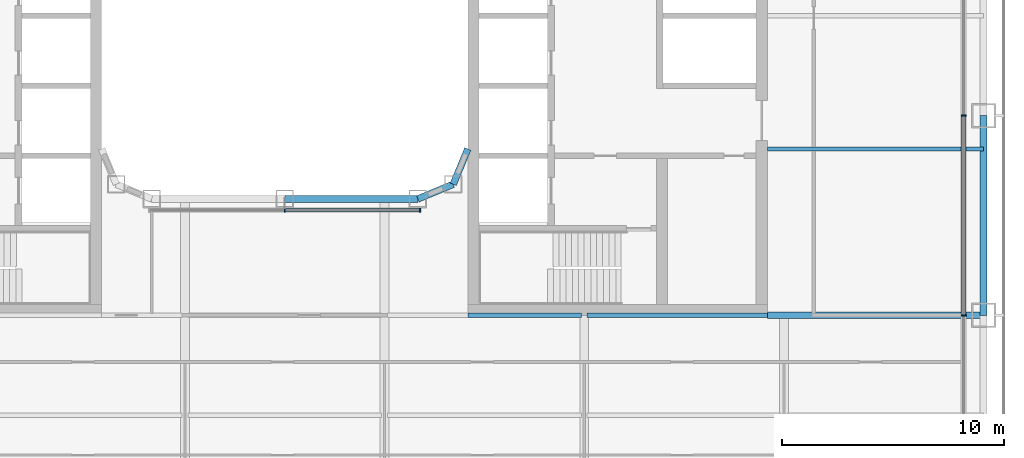
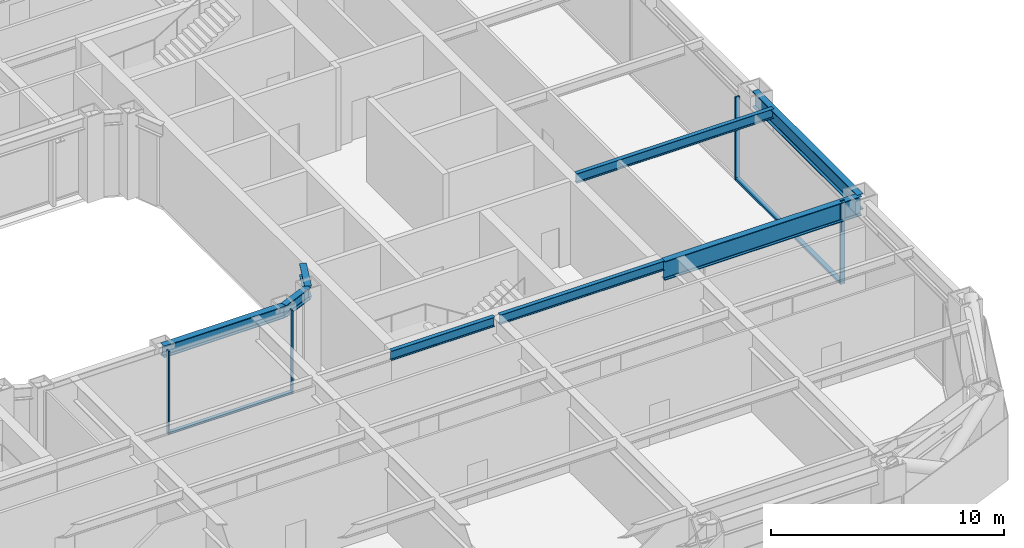
# One storey, part 5 of 24: 8 beams, 6 members, 2 elements without a shape of their own.
"""IFC4 building model written with IfcOpenShell, lengths in metres."""

import ifcopenshell
import ifcopenshell.guid

model = None  # the IFC model being written
_history = None  # IfcOwnerHistory: only IFC2X3 demands one
_inside = {}  # id of a spatial element -> (the spatial element, [elements in it])
_under = {}  # id of a project, library or spatial element -> (it, [spatial elements below it])
_declared = {}  # id of a project -> (the project, [libraries it declares])
_typed = {}  # id of a type object -> (the type object, [elements of that type])
_made_of = {}  # id of a material, layer set ... -> (it, [elements and type objects made of it])


def new_model(schema):
    """Start an empty IFC model of exactly this schema.

    Asked for "IFC4X3", IfcOpenShell would pick the latest addendum, in which some entities
    have other attributes; the version numbers below select the first issue.
    IFC2X3 requires an IfcOwnerHistory on every rooted entity: one is made here for all.
    """
    global model, _history
    if schema == "IFC4X3":
        model = ifcopenshell.file(schema_version=(4, 3, 0, 0))
    else:
        model = ifcopenshell.file(schema=schema)
    _inside.clear()
    _under.clear()
    _declared.clear()
    _typed.clear()
    _made_of.clear()
    _history = None
    if model.schema == "IFC2X3":
        org = make("IfcOrganization", Name="unknown")
        user = make(
            "IfcPersonAndOrganization",
            ThePerson=make("IfcPerson", FamilyName="unknown"),
            TheOrganization=org,
        )
        app = make(
            "IfcApplication",
            ApplicationDeveloper=org,
            Version="unknown",
            ApplicationFullName="unknown",
            ApplicationIdentifier="unknown",
        )
        _history = make(
            "IfcOwnerHistory",
            OwningUser=user,
            OwningApplication=app,
            ChangeAction="ADDED",
            CreationDate=0,
        )
    return model


def make(cls, **values):
    """One entity of the class cls with the attributes given. An attribute that is None is left unset."""
    return model.create_entity(
        cls, **{name: value for name, value in values.items() if value is not None}
    )


def rooted(cls, **values):
    """An entity with a GlobalId (a new one), such as an element, a storey or a relation."""
    return make(cls, GlobalId=ifcopenshell.guid.new(), OwnerHistory=_history, **values)


def si_unit(unit_type, name, prefix=None):
    """IfcSIUnit, for example si_unit("LENGTHUNIT", "METRE", prefix="MILLI")."""
    return make("IfcSIUnit", UnitType=unit_type, Prefix=prefix, Name=name)


def assignment(units):
    """IfcUnitAssignment: the units of a project."""
    return None if units is None else make("IfcUnitAssignment", Units=units)


def point(xyz):
    """IfcCartesianPoint."""
    return None if xyz is None else make("IfcCartesianPoint", Coordinates=xyz)


def direction(xyz):
    """IfcDirection."""
    return None if xyz is None else make("IfcDirection", DirectionRatios=xyz)


def frame(location, z_axis=None, x_axis=None):
    """IfcAxis2Placement3D, a coordinate frame: its origin and axes. An axis left out is left unset."""
    return make(
        "IfcAxis2Placement3D",
        Location=point(location),
        Axis=direction(z_axis),
        RefDirection=direction(x_axis),
    )


def frame_2d(location, x_axis=None):
    """IfcAxis2Placement2D, a coordinate frame in the plane: its origin and x axis."""
    return make(
        "IfcAxis2Placement2D", Location=point(location), RefDirection=direction(x_axis)
    )


def origin():
    """The frame at (0, 0, 0) with its axes left unset."""
    return frame((0.0, 0.0, 0.0))


def origin_2d():
    """The frame at (0, 0) in the plane with its x axis left unset."""
    return frame_2d((0.0, 0.0))


def place(relative_to, where):
    """IfcLocalPlacement: puts the frame where relative to a parent placement (None: the world)."""
    return make(
        "IfcLocalPlacement", PlacementRelTo=relative_to, RelativePlacement=where
    )


def context(
    kind, dimensions, precision=None, world=None, true_north=None, identifier=None
):
    """IfcGeometricRepresentationContext, for example the 3D "Model" context."""
    return make(
        "IfcGeometricRepresentationContext",
        ContextIdentifier=identifier,
        ContextType=kind,
        CoordinateSpaceDimension=dimensions,
        Precision=precision,
        WorldCoordinateSystem=world,
        TrueNorth=true_north,
    )


def subcontext(parent, identifier, kind, view, scale=None):
    """IfcGeometricRepresentationSubContext, for example "Body" below "Model"."""
    return make(
        "IfcGeometricRepresentationSubContext",
        ContextIdentifier=identifier,
        ContextType=kind,
        ParentContext=parent,
        TargetScale=scale,
        TargetView=view,
    )


def project(units=None, contexts=None):
    """IfcProject with its units and contexts."""
    return rooted(
        "IfcProject",
        Name="project",
        RepresentationContexts=contexts,
        UnitsInContext=assignment(units),
    )


def spatial(cls, under=None, at=None, **own):
    """A site, building, storey or space (cls), placed at a placement, below another one or the project."""
    s = rooted(cls, ObjectPlacement=at, **own)
    if under is not None:
        _under.setdefault(under.id(), (under, []))[1].append(s)
    return s


def profile(cls, at=None, kind="AREA", **sizes):
    """A parametric profile (cls). Its sizes go by their IFC names, for example OverallWidth=200.0."""
    return make(cls, ProfileType=kind, Position=at, **sizes)


def rectangle(**sizes):
    """IfcRectangleProfileDef."""
    return profile("IfcRectangleProfileDef", **sizes)


def i_section(**sizes):
    """IfcIShapeProfileDef."""
    return profile("IfcIShapeProfileDef", **sizes)


def extrude(swept, where, along, depth):
    """IfcExtrudedAreaSolid: the profile swept, set in the frame where, extruded along a direction by depth."""
    return make(
        "IfcExtrudedAreaSolid",
        SweptArea=swept,
        Position=where,
        ExtrudedDirection=direction(along),
        Depth=depth,
    )


def shape(context_of_items, identifier, shape_type, items):
    """IfcShapeRepresentation: the items that make up one representation, for example the "Body"."""
    return make(
        "IfcShapeRepresentation",
        ContextOfItems=context_of_items,
        RepresentationIdentifier=identifier,
        RepresentationType=shape_type,
        Items=items,
    )


def material(Name=None, Category=None):
    """IfcMaterial."""
    return make("IfcMaterial", Name=Name, Category=Category)


def layer(
    of_material, thickness, ventilated=None, Name=None, Category=None, Priority=None
):
    """IfcMaterialLayer: one layer of a wall or slab, of a material (None: an air gap)."""
    return make(
        "IfcMaterialLayer",
        Material=of_material,
        LayerThickness=thickness,
        IsVentilated=ventilated,
        Name=Name,
        Category=Category,
        Priority=Priority,
    )


def layer_set(layers, Name=None):
    """IfcMaterialLayerSet."""
    return make("IfcMaterialLayerSet", MaterialLayers=layers, LayerSetName=Name)


def material_profile(
    of_material, cross_section, Name=None, Category=None, Priority=None
):
    """IfcMaterialProfile: a cross section and its material."""
    return make(
        "IfcMaterialProfile",
        Name=Name,
        Material=of_material,
        Profile=cross_section,
        Priority=Priority,
        Category=Category,
    )


def profile_set(profiles, Name=None, composite=None):
    """IfcMaterialProfileSet."""
    return make(
        "IfcMaterialProfileSet",
        Name=Name,
        MaterialProfiles=profiles,
        CompositeProfile=composite,
    )


def made_of(thing, what):
    """Note that an element or type object is made of a material, layer set ...; save() writes the relation."""
    if what is not None:
        _made_of.setdefault(what.id(), (what, []))[1].append(thing)
    return thing


def type_object(cls, material=None, **own):
    """A type object (cls), such as IfcWallType, which elements share."""
    return made_of(rooted(cls, **own), material)


def element(
    cls,
    number,
    at=None,
    inside=None,
    cuts=None,
    type_object=None,
    material=None,
    context=None,
    identifier="Body",
    shape_type=None,
    held_by="IfcProductDefinitionShape",
    body=None,
    shapes=None,
    **own,
):
    """One element of the class cls, such as IfcWall. Its Tag is "e" and its number.

    at: its placement. inside: the storey or other place that contains it. cuts: it is an
    opening in that element (IfcRelVoidsElement). A single representation is given by context,
    identifier, shape_type and body (its items); several are given by shapes. held_by: the class
    of the entity that holds the representations. save() writes the other relations.
    """
    e = rooted(cls, Tag="e%d" % number, ObjectPlacement=at, **own)
    if body is not None:
        shapes = [shape(context, identifier, shape_type, body)]
    if shapes is not None:
        e.Representation = make(held_by, Representations=shapes)
    if inside is not None:
        _inside.setdefault(inside.id(), (inside, []))[1].append(e)
    if cuts is not None:
        rooted(
            "IfcRelVoidsElement", RelatingBuildingElement=cuts, RelatedOpeningElement=e
        )
    if type_object is not None:
        _typed.setdefault(type_object.id(), (type_object, []))[1].append(e)
    return made_of(e, material)


def aggregate(whole, parts):
    """IfcRelAggregates: a whole, such as a stair, and the parts it consists of."""
    return rooted("IfcRelAggregates", RelatingObject=whole, RelatedObjects=parts)


def save(model, path):
    """Write the relations noted so far, then the file.

    IfcRelAggregates (storeys below a building ...), IfcRelContainedInSpatialStructure (elements
    in a storey), IfcRelDefinesByType, IfcRelAssociatesMaterial and IfcRelDeclares: one each for
    every whole, place, type object, material and project.
    """
    for whole, parts in _under.values():
        aggregate(whole, parts)
    for where, things in _inside.values():
        rooted(
            "IfcRelContainedInSpatialStructure",
            RelatedElements=things,
            RelatingStructure=where,
        )
    for kind, things in _typed.values():
        rooted("IfcRelDefinesByType", RelatedObjects=things, RelatingType=kind)
    for what, things in _made_of.values():
        rooted("IfcRelAssociatesMaterial", RelatedObjects=things, RelatingMaterial=what)
    for by, libraries in _declared.values():
        rooted("IfcRelDeclares", RelatingContext=by, RelatedDefinitions=libraries)
    model.write(path)


model = new_model("IFC4")

# Units and contexts
model_context = context("Model", 3, precision=1e-05, world=origin(), true_north=direction((0.0, 1.0)))
body_context = subcontext(model_context, "Body", "Model", "MODEL_VIEW")
ifc_project = project(units=[si_unit("LENGTHUNIT", "METRE"), si_unit("AREAUNIT", "SQUARE_METRE"), si_unit("VOLUMEUNIT", "CUBIC_METRE"), si_unit("PLANEANGLEUNIT", "RADIAN"), si_unit("MASSUNIT", "GRAM", prefix="KILO")], contexts=[model_context])

# Site, building, storey
site_placement = place(None, origin())
site = spatial("IfcSite", under=ifc_project, at=site_placement, CompositionType="ELEMENT")
building_placement = place(site_placement, origin())
building = spatial("IfcBuilding", under=site, at=building_placement, Name="Siwar Civic Tower", CompositionType="ELEMENT")
storey_placement = place(building_placement, frame((0.0, 0.0, 22.199951171875)))
storey = spatial("IfcBuildingStorey", under=building, at=storey_placement, Name="L04", CompositionType="ELEMENT", Elevation=22.199951171875)

# Curtain wall, members
ifc_material_1 = material(Name="Aluminium and glass", Category="aluminium")
ifc_layer_1 = layer(ifc_material_1, 0.219970703125)
ifc_layer_set_1 = layer_set([ifc_layer_1], Name="Aluminium and glass")
curtain_wall_type_1 = type_object("IfcCurtainWallType", Name="ENV-CW-A", PredefinedType="NOTDEFINED", material=ifc_layer_set_1)
curtain_wall_1_placement = place(storey_placement, origin())
curtain_wall_1 = element("IfcCurtainWall", 1, at=curtain_wall_1_placement, inside=storey, type_object=curtain_wall_type_1, Name="Curtain wall A E", PredefinedType="NOTDEFINED")
ifc_material_2 = material(Name="Aluminium 6063-T6", Category="aluminium")
ifc_material_profile_1 = material_profile(ifc_material_2, rectangle(XDim=0.219970703125, YDim=0.070068359375, at=origin_2d()), Name="AL 220x70")
ifc_profile_set_1 = profile_set([ifc_material_profile_1], Name="Aluminium 6063-T6")
member_type_1 = type_object("IfcMemberType", Name="ENV-MULLION-A", PredefinedType="MULLION", material=ifc_profile_set_1)
member_1_placement = place(storey_placement, frame((30.60009765625, -13.5, 0.0), z_axis=(0.0, 0.0, 1.0), x_axis=(-1.0, 0.0, 0.0)))
member_1 = element("IfcMember", 2, at=member_1_placement, type_object=member_type_1, Name="Mullion A E 2", PredefinedType="MULLION", context=body_context, shape_type="SweptSolid", body=[
    extrude(rectangle(XDim=0.219970703125, YDim=0.070068359375, at=origin_2d()), origin(), (0.0, 0.0, 1.0), 4.35009765625),
])
member_2_placement = place(storey_placement, frame((30.60009765625, -4.5, 0.0), z_axis=(0.0, 0.0, 1.0), x_axis=(-1.0, 0.0, 0.0)))
member_2 = element("IfcMember", 3, at=member_2_placement, type_object=member_type_1, Name="Mullion A E 3", PredefinedType="MULLION", context=body_context, shape_type="SweptSolid", body=[
    extrude(rectangle(XDim=0.219970703125, YDim=0.070068359375, at=origin_2d()), origin(), (0.0, 0.0, 1.0), 4.35009765625),
])

ifc_material_3 = material(Name="Aluminium and glass", Category="aluminium")
ifc_layer_2 = layer(ifc_material_3, 0.179931640625)
ifc_layer_set_2 = layer_set([ifc_layer_2], Name="Aluminium and glass")
curtain_wall_type_2 = type_object("IfcCurtainWallType", Name="ENV-CW-W", PredefinedType="NOTDEFINED", material=ifc_layer_set_2)
curtain_wall_2_placement = place(storey_placement, origin())
curtain_wall_2 = element("IfcCurtainWall", 4, at=curtain_wall_2_placement, inside=storey, type_object=curtain_wall_type_2, Name="Curtain wall W WS", PredefinedType="NOTDEFINED")
ifc_material_4 = material(Name="Aluminium 6063-T6", Category="aluminium")
ifc_material_profile_2 = material_profile(ifc_material_4, rectangle(XDim=0.179931640625, YDim=0.06005859375, at=origin_2d()), Name="AL 180x60")
ifc_profile_set_2 = profile_set([ifc_material_profile_2], Name="Aluminium 6063-T6")
member_type_2 = type_object("IfcMemberType", Name="ENV-MULLION-W", PredefinedType="MULLION", material=ifc_profile_set_2)
member_3_placement = place(storey_placement, frame((0.0, -8.760009765625, 0.0), z_axis=(0.0, 0.0, 1.0), x_axis=(0.0, 1.0, 0.0)))
member_3 = element("IfcMember", 5, at=member_3_placement, type_object=member_type_2, Name="Mullion W WS 2", PredefinedType="MULLION", context=body_context, shape_type="SweptSolid", body=[
    extrude(rectangle(XDim=0.179931640625, YDim=0.06005859375, at=origin_2d()), origin(), (0.0, 0.0, 1.0), 4.35009765625),
])
member_4_placement = place(storey_placement, frame((6.1015625, -8.760009765625, 0.0), z_axis=(0.0, 0.0, 1.0), x_axis=(0.0, 1.0, 0.0)))
member_4 = element("IfcMember", 6, at=member_4_placement, type_object=member_type_2, Name="Mullion W WS 3", PredefinedType="MULLION", context=body_context, shape_type="SweptSolid", body=[
    extrude(rectangle(XDim=0.179931640625, YDim=0.06005859375, at=origin_2d()), origin(), (0.0, 0.0, 1.0), 4.35009765625),
])

# Member
ifc_material_5 = material(Name="Aluminium 6063-T6", Category="aluminium")
ifc_material_profile_3 = material_profile(ifc_material_5, rectangle(XDim=0.219970703125, YDim=0.1201171875, at=origin_2d()), Name="AL 220x120")
ifc_profile_set_3 = profile_set([ifc_material_profile_3], Name="Aluminium 6063-T6")
member_type_3 = type_object("IfcMemberType", Name="ENV-TRANSOM-A", PredefinedType="USERDEFINED", material=ifc_profile_set_3)
member_5_placement = place(storey_placement, frame((30.60009765625, -13.465087890625, 0.06005859375), z_axis=(0.0, 1.0, 0.0), x_axis=(-1.0, 0.0, 0.0)))
member_5 = element("IfcMember", 7, at=member_5_placement, type_object=member_type_3, Name="Transom A E 2", ObjectType="TRANSOM", PredefinedType="USERDEFINED", context=body_context, shape_type="SweptSolid", body=[
    extrude(rectangle(XDim=0.219970703125, YDim=0.1201171875, at=origin_2d()), origin(), (0.0, 0.0, 1.0), 8.93017578125),
])

aggregate(curtain_wall_1, [member_1, member_2, member_5])

ifc_material_6 = material(Name="Aluminium 6063-T6", Category="aluminium")
ifc_material_profile_4 = material_profile(ifc_material_6, rectangle(XDim=0.179931640625, YDim=0.10009765625, at=origin_2d()), Name="AL 180x100")
ifc_profile_set_4 = profile_set([ifc_material_profile_4], Name="Aluminium 6063-T6")
member_type_4 = type_object("IfcMemberType", Name="ENV-TRANSOM-W", PredefinedType="USERDEFINED", material=ifc_profile_set_4)
member_6_placement = place(storey_placement, frame((0.030029296875, -8.760009765625, 0.050048828125), z_axis=(1.0, 0.0, 0.0), x_axis=(0.0, 1.0, 0.0)))
member_6 = element("IfcMember", 8, at=member_6_placement, type_object=member_type_4, Name="Transom W WS 2", ObjectType="TRANSOM", PredefinedType="USERDEFINED", context=body_context, shape_type="SweptSolid", body=[
    extrude(rectangle(XDim=0.179931640625, YDim=0.10009765625, at=origin_2d()), origin(), (0.0, 0.0, 1.0), 6.04150390625),
])

aggregate(curtain_wall_2, [member_3, member_4, member_6])

# Beams
ifc_material_7 = material(Name="Steel S355", Category="steel")
ifc_material_profile_5 = material_profile(ifc_material_7, i_section(OverallWidth=0.199951171875, OverallDepth=0.5, WebThickness=0.01025390625, FlangeThickness=0.01611328125, FilletRadius=0.02099609375, at=origin_2d()), Name="IPE500")
ifc_profile_set_5 = profile_set([ifc_material_profile_5], Name="Steel S355")
beam_type_1 = type_object("IfcBeamType", Name="STR-FB-IPE500", PredefinedType="JOIST", material=ifc_profile_set_5)
beam_1_placement = place(storey_placement, frame((8.25, -13.5, 4.10009765625), z_axis=(1.0, 0.0, 0.0), x_axis=(0.0, 1.0, 0.0)))
element("IfcBeam", 9, at=beam_1_placement, inside=storey, type_object=beam_type_1, Name="L04/bm/F028", PredefinedType="JOIST", context=body_context, shape_type="SweptSolid", body=[
    extrude(i_section(OverallWidth=0.199951171875, OverallDepth=0.5, WebThickness=0.01025390625, FlangeThickness=0.01611328125, FilletRadius=0.02099609375, at=origin_2d()), origin(), (0.0, 0.0, 1.0), 5.1201171875),
])
beam_2_placement = place(storey_placement, frame((13.6298828125, -13.5, 4.10009765625), z_axis=(1.0, 0.0, 0.0), x_axis=(0.0, 1.0, 0.0)))
element("IfcBeam", 10, at=beam_2_placement, inside=storey, type_object=beam_type_1, Name="L04/bm/F029", PredefinedType="JOIST", context=body_context, shape_type="SweptSolid", body=[
    extrude(i_section(OverallWidth=0.199951171875, OverallDepth=0.5, WebThickness=0.01025390625, FlangeThickness=0.01611328125, FilletRadius=0.02099609375, at=origin_2d()), origin(), (0.0, 0.0, 1.0), 8.1201171875),
])
beam_3_placement = place(storey_placement, frame((21.75, -6.0, 4.10009765625), z_axis=(1.0, 0.0, 0.0), x_axis=(0.0, 1.0, 0.0)))
element("IfcBeam", 11, at=beam_3_placement, inside=storey, type_object=beam_type_1, Name="L04/bm/F032", PredefinedType="JOIST", context=body_context, shape_type="SweptSolid", body=[
    extrude(i_section(OverallWidth=0.199951171875, OverallDepth=0.5, WebThickness=0.01025390625, FlangeThickness=0.01611328125, FilletRadius=0.02099609375, at=origin_2d()), origin(), (0.0, 0.0, 1.0), 9.75),
])
ifc_material_8 = material(Name="Steel S355", Category="steel")
ifc_material_profile_6 = material_profile(ifc_material_8, i_section(OverallWidth=0.300048828125, OverallDepth=1.0, WebThickness=0.01904296875, FlangeThickness=0.035888671875, FilletRadius=0.030029296875, at=origin_2d()), Name="HEB1000")
ifc_profile_set_6 = profile_set([ifc_material_profile_6], Name="Steel S355")
beam_type_2 = type_object("IfcBeamType", Name="STR-PG-HEB1000", PredefinedType="BEAM", material=ifc_profile_set_6)
beam_4_placement = place(storey_placement, frame((21.75, -13.5, 3.85009765625), z_axis=(1.0, 0.0, 0.0), x_axis=(0.0, 1.0, 0.0)))
element("IfcBeam", 12, at=beam_4_placement, inside=storey, type_object=beam_type_2, Name="L04/bm/F030", PredefinedType="BEAM", context=body_context, shape_type="SweptSolid", body=[
    extrude(i_section(OverallWidth=0.300048828125, OverallDepth=1.0, WebThickness=0.01904296875, FlangeThickness=0.035888671875, FilletRadius=0.030029296875, at=origin_2d()), origin(), (0.0, 0.0, 1.0), 9.75),
])
ifc_material_9 = material(Name="Steel S355", Category="steel")
ifc_material_profile_7 = material_profile(ifc_material_9, i_section(OverallWidth=0.304931640625, OverallDepth=0.6201171875, WebThickness=0.02099609375, FlangeThickness=0.0400390625, FilletRadius=0.027099609375, at=origin_2d()), Name="HEM600")
ifc_profile_set_7 = profile_set([ifc_material_profile_7], Name="Steel S355")
beam_type_3 = type_object("IfcBeamType", Name="STR-RB-HEM600", PredefinedType="BEAM", material=ifc_profile_set_7)
beam_5_placement = place(storey_placement, frame((0.0, -8.25, 4.0400390625), z_axis=(1.0, 0.0, 0.0), x_axis=(0.0, 1.0, 0.0)))
element("IfcBeam", 13, at=beam_5_placement, inside=storey, type_object=beam_type_3, Name="L04/bm/RS2", PredefinedType="BEAM", context=body_context, shape_type="SweptSolid", body=[
    extrude(i_section(OverallWidth=0.304931640625, OverallDepth=0.6201171875, WebThickness=0.02099609375, FlangeThickness=0.0400390625, FilletRadius=0.027099609375, at=origin_2d()), origin(), (0.0, 0.0, 1.0), 6.0),
])
for number, where, z_axis, x_axis, name in (
    (14, (6.0, -8.25, 4.0400390625), (0.923901072997, 0.382631424892, 0.0), (-0.382631424892, 0.923901072997, 0.0), "L04/bm/RS3"),
    (15, (7.591064453125, -7.591064453125, 4.0400390625), (0.382631424892, 0.923901072997, 0.0), (-0.923901072997, 0.382631424892, 0.0), "L04/bm/RSEE"),
):
    element("IfcBeam", number, at=place(storey_placement, frame(where, z_axis=z_axis, x_axis=x_axis)), inside=storey, type_object=beam_type_3, Name=name, PredefinedType="BEAM", context=body_context, shape_type="SweptSolid", body=[
        extrude(i_section(OverallWidth=0.304931640625, OverallDepth=0.6201171875, WebThickness=0.02099609375, FlangeThickness=0.0400390625, FilletRadius=0.027099609375, at=origin_2d()), origin(), (0.0, 0.0, 1.0), 1.72216796875),
    ])
ifc_material_10 = material(Name="Steel S355", Category="steel")
ifc_material_profile_8 = material_profile(ifc_material_10, i_section(OverallWidth=0.302978515625, OverallDepth=0.81396484375, WebThickness=0.02099609375, FlangeThickness=0.0400390625, FilletRadius=0.030029296875, at=origin_2d()), Name="HEM800")
ifc_profile_set_8 = profile_set([ifc_material_profile_8], Name="Steel S355")
beam_type_4 = type_object("IfcBeamType", Name="STR-SB-HEM800", PredefinedType="BEAM", material=ifc_profile_set_8)
beam_6_placement = place(storey_placement, frame((31.5, -13.5, 3.943115234375), z_axis=(0.0, 1.0, 0.0), x_axis=(-1.0, 0.0, 0.0)))
element("IfcBeam", 16, at=beam_6_placement, inside=storey, type_object=beam_type_4, Name="L04/bm/SE-1", PredefinedType="BEAM", context=body_context, shape_type="SweptSolid", body=[
    extrude(i_section(OverallWidth=0.302978515625, OverallDepth=0.81396484375, WebThickness=0.02099609375, FlangeThickness=0.0400390625, FilletRadius=0.030029296875, at=origin_2d()), origin(), (0.0, 0.0, 1.0), 9.0),
])

save(model, "model.ifc")
